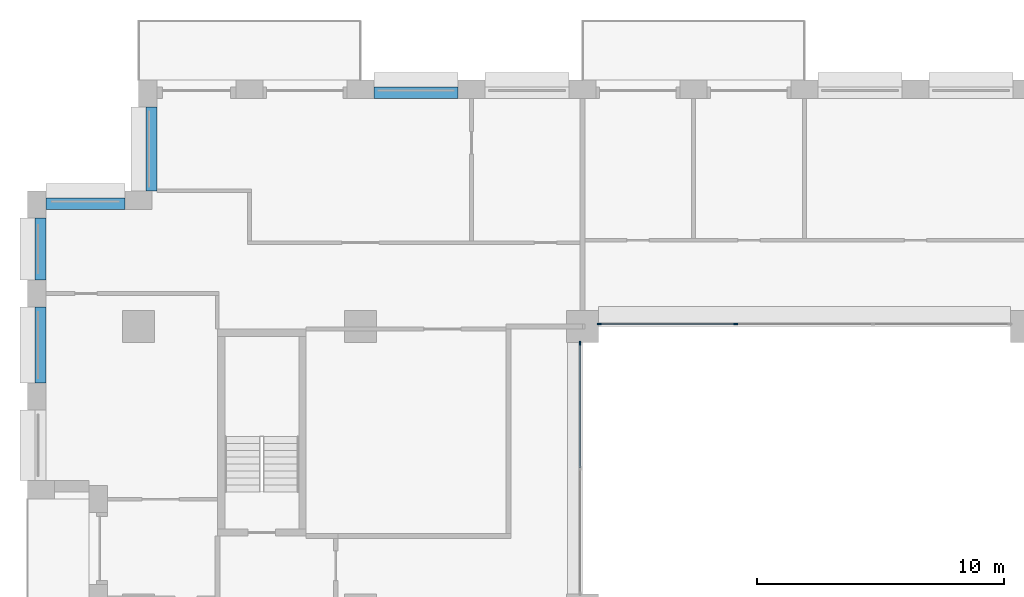
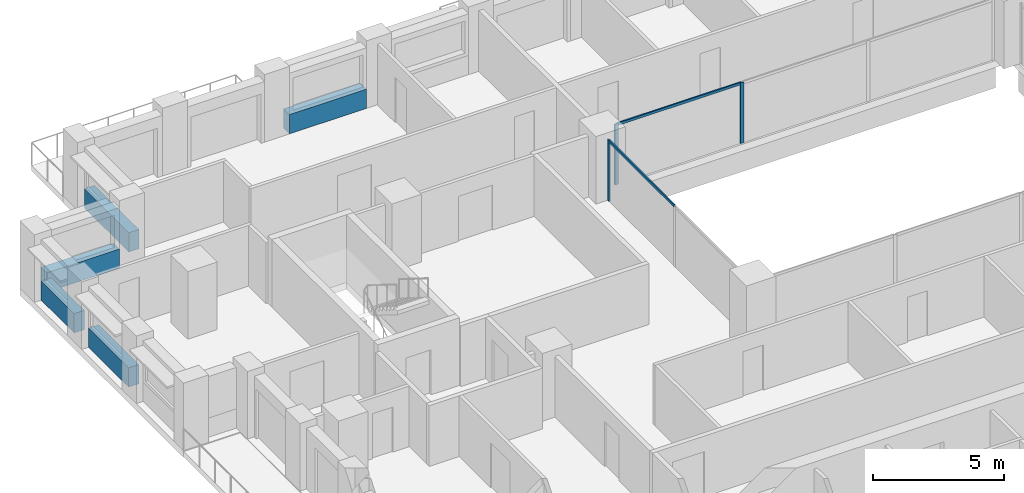
# One storey, part 5 of 17: 5 beams, 5 members, 2 elements without a shape of their own.
"""IFC4 building model written with IfcOpenShell, lengths in metres."""

from ifc_helpers import new_model, si_unit, direction, frame, origin, origin_2d, place, context, subcontext, project, spatial, rectangle, extrude, material, layer, layer_set, material_profile, profile_set, type_object, element, aggregate, save


model = new_model("IFC4")

# Units and contexts
model_context = context("Model", 3, precision=1e-05, world=origin(), true_north=direction((0.0, 1.0)))
body_context = subcontext(model_context, "Body", "Model", "MODEL_VIEW")
ifc_project = project(units=[si_unit("LENGTHUNIT", "METRE"), si_unit("AREAUNIT", "SQUARE_METRE"), si_unit("VOLUMEUNIT", "CUBIC_METRE"), si_unit("PLANEANGLEUNIT", "RADIAN"), si_unit("MASSUNIT", "GRAM", prefix="KILO")], contexts=[model_context])

# Site, building, storey
site_placement = place(None, origin())
site = spatial("IfcSite", under=ifc_project, at=site_placement, CompositionType="ELEMENT")
building_placement = place(site_placement, origin())
building = spatial("IfcBuilding", under=site, at=building_placement, Name="Brigalow Station Residences", CompositionType="ELEMENT")
storey_placement = place(building_placement, frame((0.0, 0.0, 111.89990234375)))
storey = spatial("IfcBuildingStorey", under=building, at=storey_placement, Name="L32", CompositionType="ELEMENT", Elevation=111.89990234375)

# Curtain wall, members
ifc_material_1 = material(Name="Aluminium", Category="aluminium")
ifc_layer = layer(ifc_material_1, 0.14990234375)
ifc_layer_set = layer_set([ifc_layer], Name="ATRIUM FIRE-RATED GLAZING CURTAIN WALL")
curtain_wall_type = type_object("IfcCurtainWallType", Name="ATRIUM FIRE-RATED GLAZING CURTAIN WALL", PredefinedType="NOTDEFINED", material=ifc_layer_set)
curtain_wall_1_placement = place(storey_placement, origin())
curtain_wall_1 = element("IfcCurtainWall", 1, at=curtain_wall_1_placement, inside=storey, type_object=curtain_wall_type, Name="L32/cw/atrium-N", PredefinedType="NOTDEFINED")
ifc_material_2 = material(Name="Aluminium", Category="aluminium")
ifc_material_profile_1 = material_profile(ifc_material_2, rectangle(XDim=0.06005859375, YDim=0.14990234375, at=origin_2d()), Name="ATRIUM FIRE-RATED GLAZING MULLION 60x150")
ifc_profile_set_1 = profile_set([ifc_material_profile_1], Name="Aluminium")
member_type_1 = type_object("IfcMemberType", Name="ATRIUM FIRE-RATED GLAZING MULLION 60x150", PredefinedType="MULLION", material=ifc_profile_set_1)
member_1_placement = place(storey_placement, frame((33.216796875, 35.60009765625, 0.0), z_axis=(0.0, 0.0, 1.0), x_axis=(0.0, -1.0, 0.0)))
member_1 = element("IfcMember", 2, at=member_1_placement, type_object=member_type_1, Name="L32/cw/atrium-N/M02", PredefinedType="MULLION", context=body_context, shape_type="SweptSolid", body=[
    extrude(rectangle(XDim=0.06005859375, YDim=0.14990234375, at=origin_2d()), origin(), (0.0, 0.0, 1.0), 2.830078125),
])
member_2_placement = place(storey_placement, frame((27.679931640625, 35.60009765625, 0.0), z_axis=(0.0, 0.0, 1.0), x_axis=(0.0, -1.0, 0.0)))
member_2 = element("IfcMember", 3, at=member_2_placement, type_object=member_type_1, Name="L32/cw/atrium-N/M03", PredefinedType="MULLION", context=body_context, shape_type="SweptSolid", body=[
    extrude(rectangle(XDim=0.06005859375, YDim=0.14990234375, at=origin_2d()), origin(), (0.0, 0.0, 1.0), 2.830078125),
])

# Curtain wall, member
curtain_wall_2_placement = place(storey_placement, origin())
curtain_wall_2 = element("IfcCurtainWall", 4, at=curtain_wall_2_placement, inside=storey, type_object=curtain_wall_type, Name="L32/cw/atrium-W", PredefinedType="NOTDEFINED")
member_3_placement = place(storey_placement, frame((26.89990234375, 34.820068359375, 0.0), z_axis=(0.0, 0.0, 1.0), x_axis=(1.0, 0.0, 0.0)))
member_3 = element("IfcMember", 5, at=member_3_placement, type_object=member_type_1, Name="L32/cw/atrium-W/M00", PredefinedType="MULLION", context=body_context, shape_type="SweptSolid", body=[
    extrude(rectangle(XDim=0.06005859375, YDim=0.14990234375, at=origin_2d()), origin(), (0.0, 0.0, 1.0), 2.830078125),
])

# Member
ifc_material_3 = material(Name="Aluminium", Category="aluminium")
ifc_material_profile_2 = material_profile(ifc_material_3, rectangle(XDim=0.06005859375, YDim=0.1201171875, at=origin_2d()), Name="ATRIUM FIRE-RATED GLAZING TRANSOM 60x120")
ifc_profile_set_2 = profile_set([ifc_material_profile_2], Name="Aluminium")
member_type_2 = type_object("IfcMemberType", Name="ATRIUM FIRE-RATED GLAZING TRANSOM 60x120", PredefinedType="USERDEFINED", material=ifc_profile_set_2)
member_4_placement = place(storey_placement, frame((33.186767578125, 35.60009765625, 2.800048828125), z_axis=(-1.0, 0.0, 0.0), x_axis=(0.0, -1.0, 0.0)))
member_4 = element("IfcMember", 6, at=member_4_placement, type_object=member_type_2, Name="L32/cw/atrium-N/T02-00", ObjectType="TRANSOM", PredefinedType="USERDEFINED", context=body_context, shape_type="SweptSolid", body=[
    extrude(rectangle(XDim=0.06005859375, YDim=0.1201171875, at=origin_2d()), origin(), (0.0, 0.0, 1.0), 5.476806640625),
])

aggregate(curtain_wall_1, [member_1, member_2, member_4])

member_5_placement = place(storey_placement, frame((26.89990234375, 34.7900390625, 2.800048828125), z_axis=(0.0, -1.0, 0.0), x_axis=(1.0, 0.0, 0.0)))
member_5 = element("IfcMember", 7, at=member_5_placement, type_object=member_type_2, Name="L32/cw/atrium-W/T00-00", ObjectType="TRANSOM", PredefinedType="USERDEFINED", context=body_context, shape_type="SweptSolid", body=[
    extrude(rectangle(XDim=0.06005859375, YDim=0.1201171875, at=origin_2d()), origin(), (0.0, 0.0, 1.0), 5.010009765625),
])

aggregate(curtain_wall_2, [member_3, member_5])

# Beams
ifc_material_4 = material(Name="Concrete C65", Category="concrete")
ifc_material_profile_3 = material_profile(ifc_material_4, rectangle(XDim=0.449951171875, YDim=0.89990234375, at=origin_2d()), Name="RC450x900")
ifc_profile_set_3 = profile_set([ifc_material_profile_3], Name="Concrete C65")
beam_type = type_object("IfcBeamType", Name="SPANDREL BEAM 450x900 C65", PredefinedType="SPANDREL", material=ifc_profile_set_3)
for number, where, z_axis, x_axis, name in (
    (8, (21.949951171875, 44.97509765625, 0.4501953125), (-1.0, 0.0, 0.0), (0.0, -1.0, 0.0), "L32/spandrel/W-L32-34"),
    (9, (9.52490234375, 44.39990234375, 0.4501953125), (0.0, -1.0, 0.0), (1.0, 0.0, 0.0), "L32/spandrel/W-L32-37"),
):
    element("IfcBeam", number, at=place(storey_placement, frame(where, z_axis=z_axis, x_axis=x_axis)), inside=storey, type_object=beam_type, Name=name, PredefinedType="SPANDREL", context=body_context, shape_type="SweptSolid", body=[
        extrude(rectangle(XDim=0.449951171875, YDim=0.89990234375, at=origin_2d()), origin(), (0.0, 0.0, 1.0), 3.39990234375),
    ])
beam_1_placement = place(storey_placement, frame((8.449951171875, 40.47509765625, 0.4501953125), z_axis=(-1.0, 0.0, 0.0), x_axis=(0.0, -1.0, 0.0)))
element("IfcBeam", 10, at=beam_1_placement, inside=storey, type_object=beam_type, Name="L32/spandrel/W-L32-38", PredefinedType="SPANDREL", context=body_context, shape_type="SweptSolid", body=[
    extrude(rectangle(XDim=0.449951171875, YDim=0.89990234375, at=origin_2d()), origin(), (0.0, 0.0, 1.0), 3.199951171875),
])
beam_2_placement = place(storey_placement, frame((5.02490234375, 39.89990234375, 0.4501953125), z_axis=(0.0, -1.0, 0.0), x_axis=(1.0, 0.0, 0.0)))
element("IfcBeam", 11, at=beam_2_placement, inside=storey, type_object=beam_type, Name="L32/spandrel/W-L32-39", PredefinedType="SPANDREL", context=body_context, shape_type="SweptSolid", body=[
    extrude(rectangle(XDim=0.449951171875, YDim=0.89990234375, at=origin_2d()), origin(), (0.0, 0.0, 1.0), 2.516845703125),
])
beam_3_placement = place(storey_placement, frame((5.02490234375, 36.282958984375, 0.4501953125), z_axis=(0.0, -1.0, 0.0), x_axis=(1.0, 0.0, 0.0)))
element("IfcBeam", 12, at=beam_3_placement, inside=storey, type_object=beam_type, Name="L32/spandrel/W-L32-40", PredefinedType="SPANDREL", context=body_context, shape_type="SweptSolid", body=[
    extrude(rectangle(XDim=0.449951171875, YDim=0.89990234375, at=origin_2d()), origin(), (0.0, 0.0, 1.0), 3.06591796875),
])

save(model, "model.ifc")
